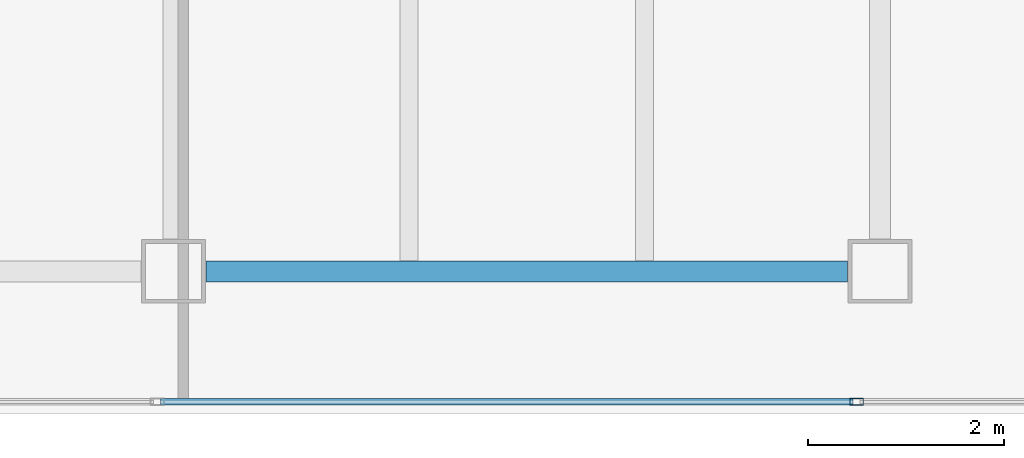
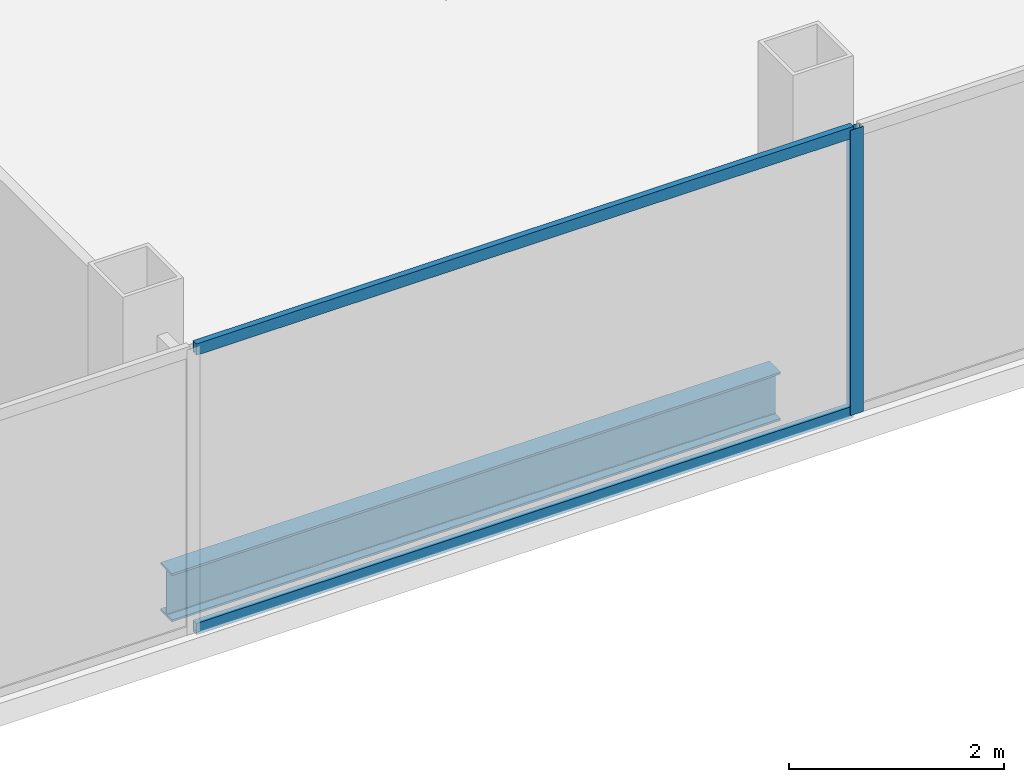
# One storey, part 12 of 23: 3 members, 1 beam, 1 element without a shape of its own.
"""IFC4 building model written with IfcOpenShell, lengths in metres."""

from ifc_helpers import new_model, si_unit, direction, frame, origin, origin_2d, place, context, subcontext, project, spatial, hollow_rectangle, i_section, extrude, material, material_profile, profile_set, type_object, element, aggregate, save


model = new_model("IFC4")

# Units and contexts
model_context = context("Model", 3, precision=1e-05, world=origin(), true_north=direction((0.0, 1.0)))
body_context = subcontext(model_context, "Body", "Model", "MODEL_VIEW")
ifc_project = project(units=[si_unit("LENGTHUNIT", "METRE"), si_unit("AREAUNIT", "SQUARE_METRE"), si_unit("VOLUMEUNIT", "CUBIC_METRE"), si_unit("PLANEANGLEUNIT", "RADIAN"), si_unit("MASSUNIT", "GRAM", prefix="KILO")], contexts=[model_context])

# Site, building, storey
site_placement = place(None, origin())
site = spatial("IfcSite", under=ifc_project, at=site_placement, CompositionType="ELEMENT")
building_placement = place(site_placement, origin())
building = spatial("IfcBuilding", under=site, at=building_placement, Name="Cobrela Telecom Tower", CompositionType="ELEMENT")
storey_placement = place(building_placement, frame((0.0, 0.0, 265.64990234375)))
storey = spatial("IfcBuildingStorey", under=building, at=storey_placement, Name="L69", CompositionType="ELEMENT", Elevation=265.64990234375)

# Beam
ifc_material_1 = material(Name="Steel ASTM A992 Grade 50", Category="steel")
ifc_material_profile_1 = material_profile(ifc_material_1, i_section(OverallWidth=0.212890625, OverallDepth=0.549072265625, WebThickness=0.0146484375, FlangeThickness=0.023681640625, FilletRadius=0.013916015625, at=origin_2d()), Name="W21X93")
ifc_profile_set_1 = profile_set([ifc_material_profile_1], Name="Steel ASTM A992 Grade 50")
beam_type = type_object("IfcBeamType", Name="BM-GIRD-08", PredefinedType="USERDEFINED", material=ifc_profile_set_1)
beam_placement = place(storey_placement, frame((29.1298828125, 7.85009765625, -0.534423828125), z_axis=(1.0, 0.0, 0.0), x_axis=(0.0, 1.0, 0.0)))
element("IfcBeam", 1, at=beam_placement, inside=storey, type_object=beam_type, Name="L69 Primary Girder X04", ObjectType="GIRDER", PredefinedType="USERDEFINED", context=body_context, shape_type="SweptSolid", body=[
    extrude(i_section(OverallWidth=0.212890625, OverallDepth=0.549072265625, WebThickness=0.0146484375, FlangeThickness=0.023681640625, FilletRadius=0.013916015625, at=origin_2d()), origin(), (0.0, 0.0, 1.0), 6.5400390625),
])

# Curtain wall, members
ifc_material_2 = material(Name="Anodized Bronze Aluminium 6063-T6", Category="aluminium")
curtain_wall_type = type_object("IfcCurtainWallType", Name="CW-SYS-OFF-HI", PredefinedType="USERDEFINED", material=ifc_material_2)
curtain_wall_placement = place(storey_placement, origin())
curtain_wall = element("IfcCurtainWall", 2, at=curtain_wall_placement, inside=storey, type_object=curtain_wall_type, Name="L69 Unitised Bronze Curtain Wall 15", ObjectType="UNITISED CURTAIN WALL", PredefinedType="USERDEFINED")
ifc_material_profile_2 = material_profile(ifc_material_2, hollow_rectangle(XDim=0.070068359375, YDim=0.139892578125, WallThickness=0.00390625, at=origin_2d()), Name="ALU 70x140x4")
ifc_profile_set_2 = profile_set([ifc_material_profile_2], Name="Anodized Bronze Aluminium 6063-T6")
member_type_1 = type_object("IfcMemberType", Name="CW-SYS-OFF-HI-MUL", PredefinedType="MULLION", material=ifc_profile_set_2)
member_1_placement = place(storey_placement, frame((35.76171875, 6.52001953125, 0.0), z_axis=(0.0, 0.0, 1.0), x_axis=(0.0, -1.0, 0.0)))
member_1 = element("IfcMember", 3, at=member_1_placement, type_object=member_type_1, Name="CW-OFF-HI mullion 2", PredefinedType="MULLION", context=body_context, shape_type="SweptSolid", body=[
    extrude(hollow_rectangle(XDim=0.070068359375, YDim=0.139892578125, WallThickness=0.00390625, at=origin_2d()), origin(), (0.0, 0.0, 1.0), 3.239990234375),
])
ifc_material_profile_3 = material_profile(ifc_material_2, hollow_rectangle(XDim=0.06494140625, YDim=0.1298828125, WallThickness=0.00390625, at=origin_2d()), Name="ALU 65x130x4")
ifc_profile_set_3 = profile_set([ifc_material_profile_3], Name="Anodized Bronze Aluminium 6063-T6")
member_type_2 = type_object("IfcMemberType", Name="CW-SYS-OFF-HI-TRN", PredefinedType="USERDEFINED", material=ifc_profile_set_3)
member_2_placement = place(storey_placement, frame((35.7265625, 6.52001953125, 0.03271484375), z_axis=(-1.0, 0.0, 0.0), x_axis=(0.0, -1.0, 0.0)))
member_2 = element("IfcMember", 4, at=member_2_placement, type_object=member_type_2, Name="CW-OFF-HI transom 2.1", ObjectType="TRANSOM", PredefinedType="USERDEFINED", context=body_context, shape_type="SweptSolid", body=[
    extrude(hollow_rectangle(XDim=0.06494140625, YDim=0.1298828125, WallThickness=0.00390625, at=origin_2d()), origin(), (0.0, 0.0, 1.0), 7.058349609375),
])
member_3_placement = place(storey_placement, frame((35.7265625, 6.52001953125, 3.20751953125), z_axis=(-1.0, 0.0, 0.0), x_axis=(0.0, -1.0, 0.0)))
member_3 = element("IfcMember", 5, at=member_3_placement, type_object=member_type_2, Name="CW-OFF-HI transom 2.2", ObjectType="TRANSOM", PredefinedType="USERDEFINED", context=body_context, shape_type="SweptSolid", body=[
    extrude(hollow_rectangle(XDim=0.06494140625, YDim=0.1298828125, WallThickness=0.00390625, at=origin_2d()), origin(), (0.0, 0.0, 1.0), 7.058349609375),
])
aggregate(curtain_wall, [member_1, member_2, member_3])

save(model, "model.ifc")
